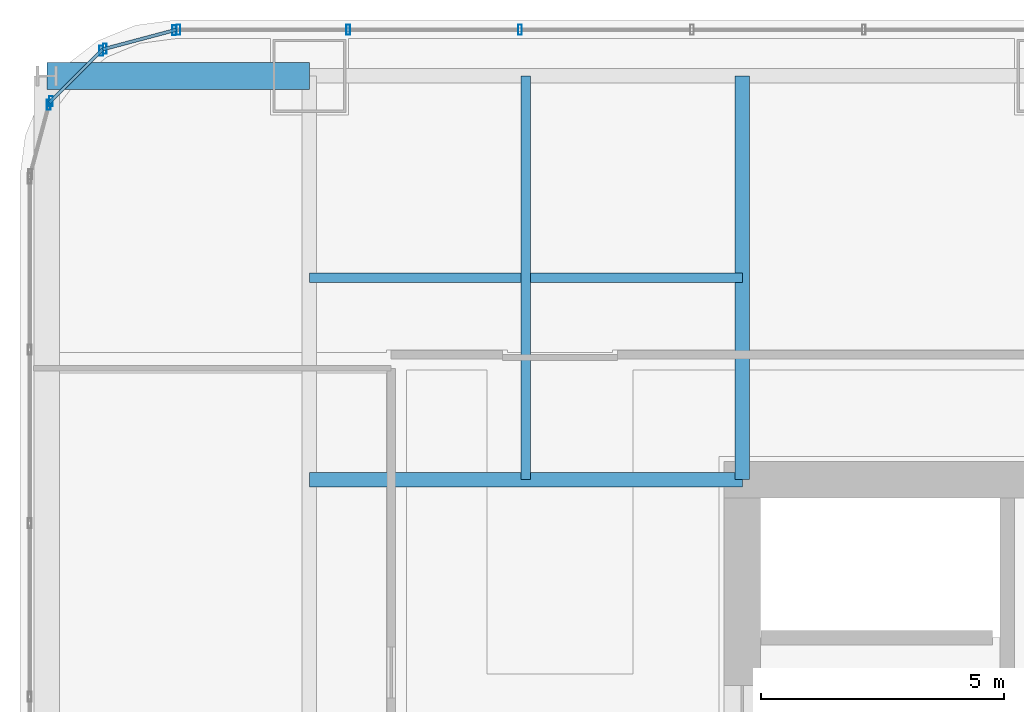
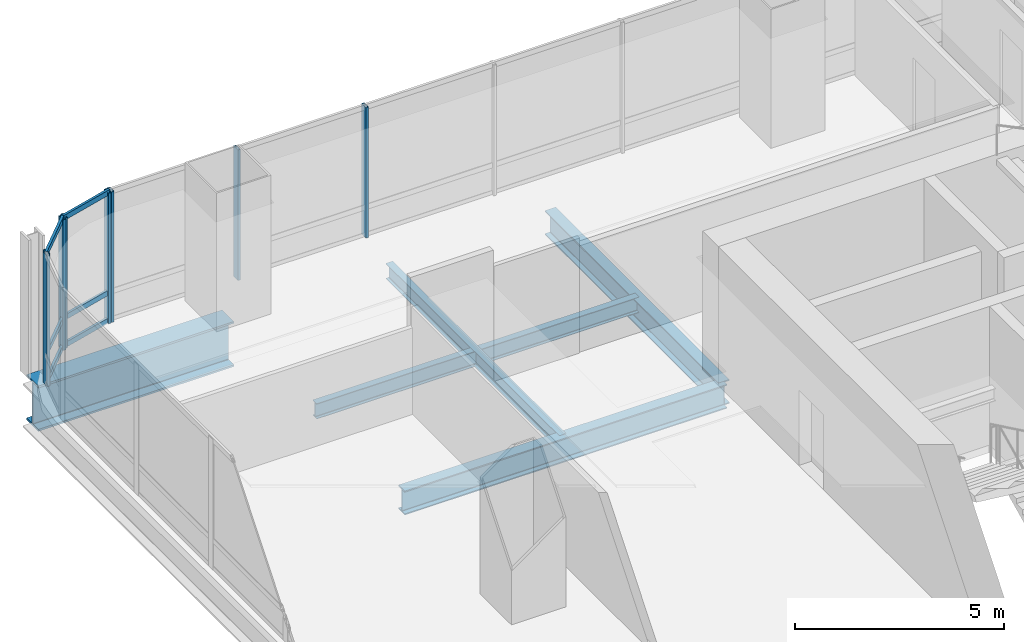
# One storey, part 19 of 36: 14 members, 5 beams, 4 elements without a shape of their own.
"""IFC4 building model written with IfcOpenShell, lengths in metres."""

from ifc_helpers import new_model, si_unit, direction, frame, origin, origin_2d, place, context, subcontext, project, spatial, hollow_rectangle, i_section, extrude, material, material_profile, profile_set, type_object, element, aggregate, save


model = new_model("IFC4")

# Units and contexts
model_context = context("Model", 3, precision=1e-05, world=origin(), true_north=direction((0.0, 1.0)))
body_context = subcontext(model_context, "Body", "Model", "MODEL_VIEW")
ifc_project = project(units=[si_unit("LENGTHUNIT", "METRE"), si_unit("AREAUNIT", "SQUARE_METRE"), si_unit("VOLUMEUNIT", "CUBIC_METRE"), si_unit("PLANEANGLEUNIT", "RADIAN"), si_unit("MASSUNIT", "GRAM", prefix="KILO")], contexts=[model_context])

# Site, building, storey
site_placement = place(None, origin())
site = spatial("IfcSite", under=ifc_project, at=site_placement, CompositionType="ELEMENT")
building_placement = place(site_placement, origin())
building = spatial("IfcBuilding", under=site, at=building_placement, Name="Punatoya Terracotta Tower", CompositionType="ELEMENT")
storey_placement = place(building_placement, frame((0.0, 0.0, 40.35009765625)))
storey = spatial("IfcBuildingStorey", under=building, at=storey_placement, Name="L08", CompositionType="ELEMENT", Elevation=40.35009765625)

# Beams
ifc_material_1 = material(Name="Steel S355", Category="steel")
ifc_material_profile_1 = material_profile(ifc_material_1, i_section(OverallWidth=0.300048828125, OverallDepth=0.699951171875, WebThickness=0.01708984375, FlangeThickness=0.031982421875, FilletRadius=0.01806640625, at=origin_2d()))
ifc_profile_set_1 = profile_set([ifc_material_profile_1], Name="Steel S355")
beam_type_1 = type_object("IfcBeamType", Name="BM-PRI-700", PredefinedType="BEAM", material=ifc_profile_set_1)
beam_1_placement = place(storey_placement, frame((-19.10009765625, 9.199951171875, -0.590087890625), z_axis=(1.0, 0.0, 0.0), x_axis=(0.0, 1.0, 0.0)))
element("IfcBeam", 1, at=beam_1_placement, inside=storey, type_object=beam_type_1, Name="BM-L08-PR-WN", PredefinedType="BEAM", context=body_context, shape_type="SweptSolid", body=[
    extrude(i_section(OverallWidth=0.300048828125, OverallDepth=0.699951171875, WebThickness=0.01708984375, FlangeThickness=0.031982421875, FilletRadius=0.01806640625, at=origin_2d()), origin(), (0.0, 0.0, 1.0), 8.900146484375),
])
beam_2_placement = place(storey_placement, frame((-10.199951171875, 9.199951171875, -0.590087890625), z_axis=(0.0, 1.0, 0.0), x_axis=(-1.0, 0.0, 0.0)))
element("IfcBeam", 2, at=beam_2_placement, inside=storey, type_object=beam_type_1, Name="BM-L08-PR-N1", PredefinedType="BEAM", context=body_context, shape_type="SweptSolid", body=[
    extrude(i_section(OverallWidth=0.300048828125, OverallDepth=0.699951171875, WebThickness=0.01708984375, FlangeThickness=0.031982421875, FilletRadius=0.01806640625, at=origin_2d()), origin(), (0.0, 0.0, 1.0), 8.300048828125),
])
ifc_material_profile_2 = material_profile(ifc_material_1, i_section(OverallWidth=0.18994140625, OverallDepth=0.449951171875, WebThickness=0.009521484375, FlangeThickness=0.0146484375, FilletRadius=0.01806640625, at=origin_2d()))
ifc_profile_set_2 = profile_set([ifc_material_profile_2], Name="Steel S355")
beam_type_2 = type_object("IfcBeamType", Name="BM-SEC-450", PredefinedType="JOIST", material=ifc_profile_set_2)
beam_3_placement = place(storey_placement, frame((-19.10009765625, 13.35009765625, -0.465087890625), z_axis=(1.0, 0.0, 0.0), x_axis=(0.0, 1.0, 0.0)))
element("IfcBeam", 3, at=beam_3_placement, inside=storey, type_object=beam_type_2, Name="BM-L08-SJN-1", PredefinedType="JOIST", context=body_context, shape_type="SweptSolid", body=[
    extrude(i_section(OverallWidth=0.18994140625, OverallDepth=0.449951171875, WebThickness=0.009521484375, FlangeThickness=0.0146484375, FilletRadius=0.01806640625, at=origin_2d()), origin(), (0.0, 0.0, 1.0), 8.900146484375),
])
beam_4_placement = place(storey_placement, frame((-14.64990234375, 9.199951171875, -0.465087890625), z_axis=(0.0, 1.0, 0.0), x_axis=(-1.0, 0.0, 0.0)))
element("IfcBeam", 4, at=beam_4_placement, inside=storey, type_object=beam_type_2, Name="BM-L08-SJW-2", PredefinedType="JOIST", context=body_context, shape_type="SweptSolid", body=[
    extrude(i_section(OverallWidth=0.18994140625, OverallDepth=0.449951171875, WebThickness=0.009521484375, FlangeThickness=0.0146484375, FilletRadius=0.01806640625, at=origin_2d()), origin(), (0.0, 0.0, 1.0), 8.300048828125),
])
ifc_material_2 = material(Name="Steel S460", Category="steel")
ifc_material_profile_3 = material_profile(ifc_material_2, i_section(OverallWidth=0.56005859375, OverallDepth=1.320068359375, WebThickness=0.035888671875, FlangeThickness=0.054931640625, FilletRadius=0.01806640625, at=origin_2d()))
ifc_profile_set_3 = profile_set([ifc_material_profile_3], Name="Steel S460")
beam_type_3 = type_object("IfcBeamType", Name="BM-TG-BLK", PredefinedType="BEAM", material=ifc_profile_set_3)
beam_5_placement = place(storey_placement, frame((-24.5, 17.5, -0.900146484375), z_axis=(1.0, 0.0, 0.0), x_axis=(0.0, 1.0, 0.0)))
element("IfcBeam", 5, at=beam_5_placement, inside=storey, type_object=beam_type_3, Name="BM-L08-CANT-W4", PredefinedType="BEAM", context=body_context, shape_type="SweptSolid", body=[
    extrude(i_section(OverallWidth=0.56005859375, OverallDepth=1.320068359375, WebThickness=0.035888671875, FlangeThickness=0.054931640625, FilletRadius=0.01806640625, at=origin_2d()), origin(), (0.0, 0.0, 1.0), 5.39990234375),
])

# Curtain wall, members
ifc_material_3 = material(Name="Aluminium 6063-T6 + Double Low-E Glass", Category="aluminium")
curtain_wall_type = type_object("IfcCurtainWallType", Name="CW-M1", PredefinedType="NOTDEFINED", material=ifc_material_3)
curtain_wall_1_placement = place(storey_placement, origin())
curtain_wall_1 = element("IfcCurtainWall", 6, at=curtain_wall_1_placement, inside=storey, type_object=curtain_wall_type, Name="L08 Curtain Wall CW-L08-N09-1", PredefinedType="NOTDEFINED")
ifc_material_4 = material(Name="Aluminium 6063-T6", Category="aluminium")
ifc_material_profile_4 = material_profile(ifc_material_4, hollow_rectangle(XDim=0.074951171875, YDim=0.2099609375, WallThickness=0.00439453125, at=origin_2d()))
ifc_profile_set_4 = profile_set([ifc_material_profile_4], Name="Aluminium 6063-T6")
member_type_1 = type_object("IfcMemberType", Name="CW-MUL-M1", PredefinedType="MULLION", material=ifc_profile_set_4)
member_1_placement = place(storey_placement, frame((-14.768798828125, 18.449951171875, 0.0), z_axis=(0.0, 0.0, 1.0), x_axis=(1.0, 0.0, 0.0)))
member_1 = element("IfcMember", 7, at=member_1_placement, type_object=member_type_1, Name="CW-L08-N09-1 Mullion 09", PredefinedType="MULLION", context=body_context, shape_type="SweptSolid", body=[
    extrude(hollow_rectangle(XDim=0.074951171875, YDim=0.2099609375, WallThickness=0.00439453125, at=origin_2d()), origin(), (0.0, 0.0, 1.0), 3.809814453125),
])
member_2_placement = place(storey_placement, frame((-18.302978515625, 18.449951171875, 0.0), z_axis=(0.0, 0.0, 1.0), x_axis=(1.0, 0.0, 0.0)))
member_2 = element("IfcMember", 8, at=member_2_placement, type_object=member_type_1, Name="CW-L08-N09-1 Mullion 10", PredefinedType="MULLION", context=body_context, shape_type="SweptSolid", body=[
    extrude(hollow_rectangle(XDim=0.074951171875, YDim=0.2099609375, WallThickness=0.00439453125, at=origin_2d()), origin(), (0.0, 0.0, 1.0), 3.809814453125),
])
member_3_placement = place(storey_placement, frame((-21.7919921875, 18.449951171875, 0.0), z_axis=(0.0, 0.0, 1.0), x_axis=(1.0, 0.0, 0.0)))
member_3 = element("IfcMember", 9, at=member_3_placement, type_object=member_type_1, Name="CW-L08-N09-1 Mullion 11", PredefinedType="MULLION", context=body_context, shape_type="SweptSolid", body=[
    extrude(hollow_rectangle(XDim=0.074951171875, YDim=0.2099609375, WallThickness=0.00439453125, at=origin_2d()), origin(), (0.0, 0.0, 1.0), 3.809814453125),
])
aggregate(curtain_wall_1, [member_1, member_2, member_3])

curtain_wall_2_placement = place(storey_placement, origin())
curtain_wall_2 = element("IfcCurtainWall", 10, at=curtain_wall_2_placement, inside=storey, type_object=curtain_wall_type, Name="L08 Curtain Wall CW-L08-CRN10", PredefinedType="NOTDEFINED")
member_4_placement = place(storey_placement, frame((-21.88037109375, 18.4384765625, 0.0), z_axis=(0.0, 0.0, 1.0), x_axis=(1.0, 0.0, 0.0)))
member_4 = element("IfcMember", 11, at=member_4_placement, type_object=member_type_1, Name="CW-L08-CRN10 Mullion 00", PredefinedType="MULLION", context=body_context, shape_type="SweptSolid", body=[
    extrude(hollow_rectangle(XDim=0.074951171875, YDim=0.2099609375, WallThickness=0.00439453125, at=origin_2d()), origin(), (0.0, 0.0, 1.0), 3.809814453125),
])
member_5_placement = place(storey_placement, frame((-23.3056640625, 18.05810546875, 0.0), z_axis=(0.0, 0.0, 1.0), x_axis=(1.0, 0.0, 0.0)))
member_5 = element("IfcMember", 12, at=member_5_placement, type_object=member_type_1, Name="CW-L08-CRN10 Mullion 01", PredefinedType="MULLION", context=body_context, shape_type="SweptSolid", body=[
    extrude(hollow_rectangle(XDim=0.074951171875, YDim=0.2099609375, WallThickness=0.00439453125, at=origin_2d()), origin(), (0.0, 0.0, 1.0), 3.809814453125),
])

curtain_wall_3_placement = place(storey_placement, origin())
curtain_wall_3 = element("IfcCurtainWall", 13, at=curtain_wall_3_placement, inside=storey, type_object=curtain_wall_type, Name="L08 Curtain Wall CW-L08-CRN11", PredefinedType="NOTDEFINED")
member_6_placement = place(storey_placement, frame((-23.380859375, 18.014892578125, 0.0), z_axis=(0.0, 0.0, 1.0), x_axis=(1.0, 0.0, 0.0)))
member_6 = element("IfcMember", 14, at=member_6_placement, type_object=member_type_1, Name="CW-L08-CRN11 Mullion 00", PredefinedType="MULLION", context=body_context, shape_type="SweptSolid", body=[
    extrude(hollow_rectangle(XDim=0.074951171875, YDim=0.2099609375, WallThickness=0.00439453125, at=origin_2d()), origin(), (0.0, 0.0, 1.0), 3.809814453125),
])
member_7_placement = place(storey_placement, frame((-24.414794921875, 16.98095703125, 0.0), z_axis=(0.0, 0.0, 1.0), x_axis=(1.0, 0.0, 0.0)))
member_7 = element("IfcMember", 15, at=member_7_placement, type_object=member_type_1, Name="CW-L08-CRN11 Mullion 01", PredefinedType="MULLION", context=body_context, shape_type="SweptSolid", body=[
    extrude(hollow_rectangle(XDim=0.074951171875, YDim=0.2099609375, WallThickness=0.00439453125, at=origin_2d()), origin(), (0.0, 0.0, 1.0), 3.809814453125),
])

# Curtain wall, member
curtain_wall_4_placement = place(storey_placement, origin())
curtain_wall_4 = element("IfcCurtainWall", 16, at=curtain_wall_4_placement, inside=storey, type_object=curtain_wall_type, Name="L08 Curtain Wall CW-L08-CRN12", PredefinedType="NOTDEFINED")
member_8_placement = place(storey_placement, frame((-24.458251953125, 16.905517578125, 0.0), z_axis=(0.0, 0.0, 1.0), x_axis=(1.0, 0.0, 0.0)))
member_8 = element("IfcMember", 17, at=member_8_placement, type_object=member_type_1, Name="CW-L08-CRN12 Mullion 00", PredefinedType="MULLION", context=body_context, shape_type="SweptSolid", body=[
    extrude(hollow_rectangle(XDim=0.074951171875, YDim=0.2099609375, WallThickness=0.00439453125, at=origin_2d()), origin(), (0.0, 0.0, 1.0), 3.809814453125),
])
aggregate(curtain_wall_4, [member_8])

# Member
ifc_material_profile_5 = material_profile(ifc_material_4, hollow_rectangle(XDim=0.068115234375, YDim=0.14990234375, WallThickness=0.00390625, at=origin_2d()))
ifc_profile_set_5 = profile_set([ifc_material_profile_5], Name="Aluminium 6063-T6")
member_type_2 = type_object("IfcMemberType", Name="CW-TRN-TYP", PredefinedType="USERDEFINED", material=ifc_profile_set_5)
member_9_placement = place(storey_placement, frame((-21.8369140625, 18.449951171875, 0.039794921875), z_axis=(-0.966224582397, -0.257701486942, 0.0), x_axis=(0.257701486942, -0.966224582397, 0.0)))
member_9 = element("IfcMember", 18, at=member_9_placement, type_object=member_type_2, Name="CW-L08-CRN10 Transom 1", ObjectType="TRANSOM", PredefinedType="USERDEFINED", context=body_context, shape_type="SweptSolid", body=[
    extrude(hollow_rectangle(XDim=0.068115234375, YDim=0.14990234375, WallThickness=0.00390625, at=origin_2d()), origin(), (0.0, 0.0, 1.0), 1.565185546875),
])

member_10_placement = place(storey_placement, frame((-21.8369140625, 18.449951171875, 0.849853515625), z_axis=(-0.966224582397, -0.257701486942, 0.0), x_axis=(0.257701486942, -0.966224582397, 0.0)))
member_10 = element("IfcMember", 19, at=member_10_placement, type_object=member_type_2, Name="CW-L08-CRN10 Transom 2", ObjectType="TRANSOM", PredefinedType="USERDEFINED", context=body_context, shape_type="SweptSolid", body=[
    extrude(hollow_rectangle(XDim=0.068115234375, YDim=0.14990234375, WallThickness=0.00390625, at=origin_2d()), origin(), (0.0, 0.0, 1.0), 1.565185546875),
])

member_11_placement = place(storey_placement, frame((-21.8369140625, 18.449951171875, 3.77001953125), z_axis=(-0.966224582397, -0.257701486942, 0.0), x_axis=(0.257701486942, -0.966224582397, 0.0)))
member_11 = element("IfcMember", 20, at=member_11_placement, type_object=member_type_2, Name="CW-L08-CRN10 Transom 3", ObjectType="TRANSOM", PredefinedType="USERDEFINED", context=body_context, shape_type="SweptSolid", body=[
    extrude(hollow_rectangle(XDim=0.068115234375, YDim=0.14990234375, WallThickness=0.00390625, at=origin_2d()), origin(), (0.0, 0.0, 1.0), 1.565185546875),
])

aggregate(curtain_wall_2, [member_4, member_5, member_9, member_10, member_11])

member_12_placement = place(storey_placement, frame((-23.34912109375, 18.046630859375, 0.039794921875), z_axis=(-0.707106781187, -0.707106781187, 0.0), x_axis=(0.707106781187, -0.707106781187, 0.0)))
member_12 = element("IfcMember", 21, at=member_12_placement, type_object=member_type_2, Name="CW-L08-CRN11 Transom 1", ObjectType="TRANSOM", PredefinedType="USERDEFINED", context=body_context, shape_type="SweptSolid", body=[
    extrude(hollow_rectangle(XDim=0.068115234375, YDim=0.14990234375, WallThickness=0.00390625, at=origin_2d()), origin(), (0.0, 0.0, 1.0), 1.552001953125),
])

member_13_placement = place(storey_placement, frame((-23.34912109375, 18.046630859375, 0.849853515625), z_axis=(-0.707106781187, -0.707106781187, 0.0), x_axis=(0.707106781187, -0.707106781187, 0.0)))
member_13 = element("IfcMember", 22, at=member_13_placement, type_object=member_type_2, Name="CW-L08-CRN11 Transom 2", ObjectType="TRANSOM", PredefinedType="USERDEFINED", context=body_context, shape_type="SweptSolid", body=[
    extrude(hollow_rectangle(XDim=0.068115234375, YDim=0.14990234375, WallThickness=0.00390625, at=origin_2d()), origin(), (0.0, 0.0, 1.0), 1.552001953125),
])

member_14_placement = place(storey_placement, frame((-23.34912109375, 18.046630859375, 3.77001953125), z_axis=(-0.707106781187, -0.707106781187, 0.0), x_axis=(0.707106781187, -0.707106781187, 0.0)))
member_14 = element("IfcMember", 23, at=member_14_placement, type_object=member_type_2, Name="CW-L08-CRN11 Transom 3", ObjectType="TRANSOM", PredefinedType="USERDEFINED", context=body_context, shape_type="SweptSolid", body=[
    extrude(hollow_rectangle(XDim=0.068115234375, YDim=0.14990234375, WallThickness=0.00390625, at=origin_2d()), origin(), (0.0, 0.0, 1.0), 1.552001953125),
])

aggregate(curtain_wall_3, [member_6, member_7, member_12, member_13, member_14])

save(model, "model.ifc")
